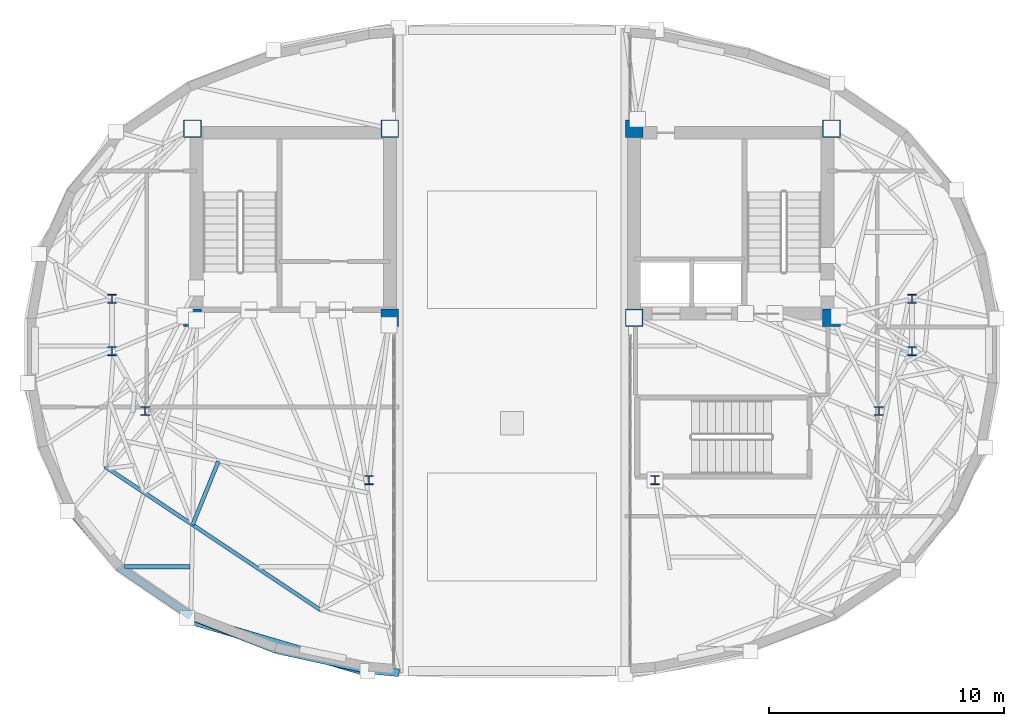
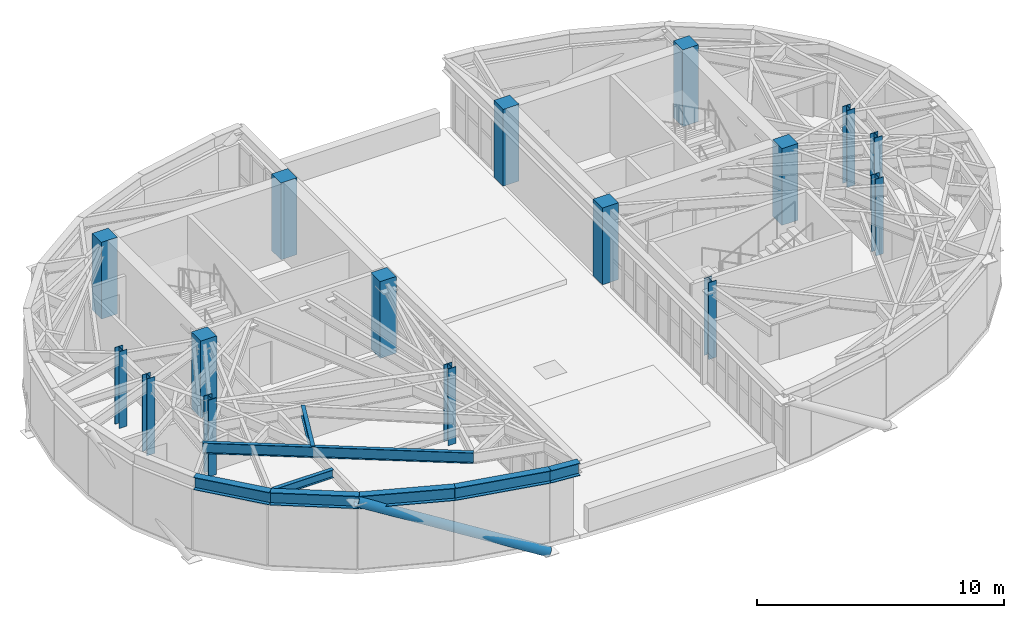
# One storey, part 1 of 13: 16 columns, 8 beams, 1 member.
"""IFC4 building model written with IfcOpenShell, lengths in metres."""

import ifcopenshell
import ifcopenshell.guid

model = None  # the IFC model being written
_history = None  # IfcOwnerHistory: only IFC2X3 demands one
_inside = {}  # id of a spatial element -> (the spatial element, [elements in it])
_under = {}  # id of a project, library or spatial element -> (it, [spatial elements below it])
_declared = {}  # id of a project -> (the project, [libraries it declares])
_typed = {}  # id of a type object -> (the type object, [elements of that type])
_made_of = {}  # id of a material, layer set ... -> (it, [elements and type objects made of it])


def new_model(schema):
    """Start an empty IFC model of exactly this schema.

    Asked for "IFC4X3", IfcOpenShell would pick the latest addendum, in which some entities
    have other attributes; the version numbers below select the first issue.
    IFC2X3 requires an IfcOwnerHistory on every rooted entity: one is made here for all.
    """
    global model, _history
    if schema == "IFC4X3":
        model = ifcopenshell.file(schema_version=(4, 3, 0, 0))
    else:
        model = ifcopenshell.file(schema=schema)
    _inside.clear()
    _under.clear()
    _declared.clear()
    _typed.clear()
    _made_of.clear()
    _history = None
    if model.schema == "IFC2X3":
        org = make("IfcOrganization", Name="unknown")
        user = make(
            "IfcPersonAndOrganization",
            ThePerson=make("IfcPerson", FamilyName="unknown"),
            TheOrganization=org,
        )
        app = make(
            "IfcApplication",
            ApplicationDeveloper=org,
            Version="unknown",
            ApplicationFullName="unknown",
            ApplicationIdentifier="unknown",
        )
        _history = make(
            "IfcOwnerHistory",
            OwningUser=user,
            OwningApplication=app,
            ChangeAction="ADDED",
            CreationDate=0,
        )
    return model


def make(cls, **values):
    """One entity of the class cls with the attributes given. An attribute that is None is left unset."""
    return model.create_entity(
        cls, **{name: value for name, value in values.items() if value is not None}
    )


def rooted(cls, **values):
    """An entity with a GlobalId (a new one), such as an element, a storey or a relation."""
    return make(cls, GlobalId=ifcopenshell.guid.new(), OwnerHistory=_history, **values)


def si_unit(unit_type, name, prefix=None):
    """IfcSIUnit, for example si_unit("LENGTHUNIT", "METRE", prefix="MILLI")."""
    return make("IfcSIUnit", UnitType=unit_type, Prefix=prefix, Name=name)


def assignment(units):
    """IfcUnitAssignment: the units of a project."""
    return None if units is None else make("IfcUnitAssignment", Units=units)


def point(xyz):
    """IfcCartesianPoint."""
    return None if xyz is None else make("IfcCartesianPoint", Coordinates=xyz)


def direction(xyz):
    """IfcDirection."""
    return None if xyz is None else make("IfcDirection", DirectionRatios=xyz)


def frame(location, z_axis=None, x_axis=None):
    """IfcAxis2Placement3D, a coordinate frame: its origin and axes. An axis left out is left unset."""
    return make(
        "IfcAxis2Placement3D",
        Location=point(location),
        Axis=direction(z_axis),
        RefDirection=direction(x_axis),
    )


def frame_2d(location, x_axis=None):
    """IfcAxis2Placement2D, a coordinate frame in the plane: its origin and x axis."""
    return make(
        "IfcAxis2Placement2D", Location=point(location), RefDirection=direction(x_axis)
    )


def origin():
    """The frame at (0, 0, 0) with its axes left unset."""
    return frame((0.0, 0.0, 0.0))


def origin_2d():
    """The frame at (0, 0) in the plane with its x axis left unset."""
    return frame_2d((0.0, 0.0))


def place(relative_to, where):
    """IfcLocalPlacement: puts the frame where relative to a parent placement (None: the world)."""
    return make(
        "IfcLocalPlacement", PlacementRelTo=relative_to, RelativePlacement=where
    )


def context(
    kind, dimensions, precision=None, world=None, true_north=None, identifier=None
):
    """IfcGeometricRepresentationContext, for example the 3D "Model" context."""
    return make(
        "IfcGeometricRepresentationContext",
        ContextIdentifier=identifier,
        ContextType=kind,
        CoordinateSpaceDimension=dimensions,
        Precision=precision,
        WorldCoordinateSystem=world,
        TrueNorth=true_north,
    )


def subcontext(parent, identifier, kind, view, scale=None):
    """IfcGeometricRepresentationSubContext, for example "Body" below "Model"."""
    return make(
        "IfcGeometricRepresentationSubContext",
        ContextIdentifier=identifier,
        ContextType=kind,
        ParentContext=parent,
        TargetScale=scale,
        TargetView=view,
    )


def project(units=None, contexts=None):
    """IfcProject with its units and contexts."""
    return rooted(
        "IfcProject",
        Name="project",
        RepresentationContexts=contexts,
        UnitsInContext=assignment(units),
    )


def spatial(cls, under=None, at=None, **own):
    """A site, building, storey or space (cls), placed at a placement, below another one or the project."""
    s = rooted(cls, ObjectPlacement=at, **own)
    if under is not None:
        _under.setdefault(under.id(), (under, []))[1].append(s)
    return s


def profile(cls, at=None, kind="AREA", **sizes):
    """A parametric profile (cls). Its sizes go by their IFC names, for example OverallWidth=200.0."""
    return make(cls, ProfileType=kind, Position=at, **sizes)


def rectangle(**sizes):
    """IfcRectangleProfileDef."""
    return profile("IfcRectangleProfileDef", **sizes)


def hollow_circle(**sizes):
    """IfcCircleHollowProfileDef."""
    return profile("IfcCircleHollowProfileDef", **sizes)


def i_section(**sizes):
    """IfcIShapeProfileDef."""
    return profile("IfcIShapeProfileDef", **sizes)


def extrude(swept, where, along, depth):
    """IfcExtrudedAreaSolid: the profile swept, set in the frame where, extruded along a direction by depth."""
    return make(
        "IfcExtrudedAreaSolid",
        SweptArea=swept,
        Position=where,
        ExtrudedDirection=direction(along),
        Depth=depth,
    )


def shape(context_of_items, identifier, shape_type, items):
    """IfcShapeRepresentation: the items that make up one representation, for example the "Body"."""
    return make(
        "IfcShapeRepresentation",
        ContextOfItems=context_of_items,
        RepresentationIdentifier=identifier,
        RepresentationType=shape_type,
        Items=items,
    )


def material(Name=None, Category=None):
    """IfcMaterial."""
    return make("IfcMaterial", Name=Name, Category=Category)


def material_profile(
    of_material, cross_section, Name=None, Category=None, Priority=None
):
    """IfcMaterialProfile: a cross section and its material."""
    return make(
        "IfcMaterialProfile",
        Name=Name,
        Material=of_material,
        Profile=cross_section,
        Priority=Priority,
        Category=Category,
    )


def profile_set(profiles, Name=None, composite=None):
    """IfcMaterialProfileSet."""
    return make(
        "IfcMaterialProfileSet",
        Name=Name,
        MaterialProfiles=profiles,
        CompositeProfile=composite,
    )


def made_of(thing, what):
    """Note that an element or type object is made of a material, layer set ...; save() writes the relation."""
    if what is not None:
        _made_of.setdefault(what.id(), (what, []))[1].append(thing)
    return thing


def type_object(cls, material=None, **own):
    """A type object (cls), such as IfcWallType, which elements share."""
    return made_of(rooted(cls, **own), material)


def element(
    cls,
    number,
    at=None,
    inside=None,
    cuts=None,
    type_object=None,
    material=None,
    context=None,
    identifier="Body",
    shape_type=None,
    held_by="IfcProductDefinitionShape",
    body=None,
    shapes=None,
    **own,
):
    """One element of the class cls, such as IfcWall. Its Tag is "e" and its number.

    at: its placement. inside: the storey or other place that contains it. cuts: it is an
    opening in that element (IfcRelVoidsElement). A single representation is given by context,
    identifier, shape_type and body (its items); several are given by shapes. held_by: the class
    of the entity that holds the representations. save() writes the other relations.
    """
    e = rooted(cls, Tag="e%d" % number, ObjectPlacement=at, **own)
    if body is not None:
        shapes = [shape(context, identifier, shape_type, body)]
    if shapes is not None:
        e.Representation = make(held_by, Representations=shapes)
    if inside is not None:
        _inside.setdefault(inside.id(), (inside, []))[1].append(e)
    if cuts is not None:
        rooted(
            "IfcRelVoidsElement", RelatingBuildingElement=cuts, RelatedOpeningElement=e
        )
    if type_object is not None:
        _typed.setdefault(type_object.id(), (type_object, []))[1].append(e)
    return made_of(e, material)


def aggregate(whole, parts):
    """IfcRelAggregates: a whole, such as a stair, and the parts it consists of."""
    return rooted("IfcRelAggregates", RelatingObject=whole, RelatedObjects=parts)


def save(model, path):
    """Write the relations noted so far, then the file.

    IfcRelAggregates (storeys below a building ...), IfcRelContainedInSpatialStructure (elements
    in a storey), IfcRelDefinesByType, IfcRelAssociatesMaterial and IfcRelDeclares: one each for
    every whole, place, type object, material and project.
    """
    for whole, parts in _under.values():
        aggregate(whole, parts)
    for where, things in _inside.values():
        rooted(
            "IfcRelContainedInSpatialStructure",
            RelatedElements=things,
            RelatingStructure=where,
        )
    for kind, things in _typed.values():
        rooted("IfcRelDefinesByType", RelatedObjects=things, RelatingType=kind)
    for what, things in _made_of.values():
        rooted("IfcRelAssociatesMaterial", RelatedObjects=things, RelatingMaterial=what)
    for by, libraries in _declared.values():
        rooted("IfcRelDeclares", RelatingContext=by, RelatedDefinitions=libraries)
    model.write(path)


model = new_model("IFC4")

# Units and contexts
model_context = context("Model", 3, precision=1e-05, world=origin(), true_north=direction((0.0, 1.0)))
body_context = subcontext(model_context, "Body", "Model", "MODEL_VIEW")
ifc_project = project(units=[si_unit("LENGTHUNIT", "METRE"), si_unit("AREAUNIT", "SQUARE_METRE"), si_unit("VOLUMEUNIT", "CUBIC_METRE"), si_unit("PLANEANGLEUNIT", "RADIAN"), si_unit("MASSUNIT", "GRAM", prefix="KILO")], contexts=[model_context])

# Site, building, storey
site_placement = place(None, origin())
site = spatial("IfcSite", under=ifc_project, at=site_placement, CompositionType="ELEMENT")
building_placement = place(site_placement, origin())
building = spatial("IfcBuilding", under=site, at=building_placement, Name="Keldmark Tower", CompositionType="ELEMENT")
storey_placement = place(building_placement, frame((0.0, 0.0, 269.199951171875)))
storey = spatial("IfcBuildingStorey", under=building, at=storey_placement, Name="L76", CompositionType="ELEMENT", Elevation=269.199951171875)

# Columns
ifc_material_1 = material(Name="Concrete C50/60", Category="concrete")
ifc_material_profile_1 = material_profile(ifc_material_1, rectangle(XDim=0.75, YDim=0.75, at=origin_2d()), Name="RC750X750")
ifc_profile_set_1 = profile_set([ifc_material_profile_1], Name="Concrete C50/60")
column_type_1 = type_object("IfcColumnType", Name="Core Boundary Column RC750", PredefinedType="PILASTER", material=ifc_profile_set_1)
for number, where, z_axis, x_axis, name in (
    (1, (-13.60009765625, 1.39990234375, 0.0), (0.0, 0.0, 1.0), (1.0, 0.0, 0.0), "L76 Core Boundary Column CC-W1"),
    (2, (-13.60009765625, 9.449951171875, 0.0), (0.0, 0.0, 1.0), (1.0, 0.0, 0.0), "L76 Core Boundary Column CC-W2"),
    (3, (-5.199951171875, 1.39990234375, 0.0), (0.0, 0.0, 1.0), (1.0, 0.0, 0.0), "L76 Core Boundary Column CC-W3"),
    (4, (-5.199951171875, 9.449951171875, 0.0), (0.0, 0.0, 1.0), (1.0, 0.0, 0.0), "L76 Core Boundary Column CC-W4"),
    (5, (5.199951171875, 1.39990234375, 0.0), (0.0, 0.0, 1.0), (1.0, 0.0, 0.0), "L76 Core Boundary Column CC-E1"),
    (6, (5.199951171875, 9.449951171875, 0.0), (0.0, 0.0, 1.0), (1.0, 0.0, 0.0), "L76 Core Boundary Column CC-E2"),
    (7, (13.60009765625, 1.39990234375, 0.0), (0.0, 0.0, 1.0), (1.0, 0.0, 0.0), "L76 Core Boundary Column CC-E3"),
    (8, (13.60009765625, 9.449951171875, 0.0), (0.0, 0.0, 1.0), (1.0, 0.0, 0.0), "L76 Core Boundary Column CC-E4"),
):
    element("IfcColumn", number, at=place(storey_placement, frame(where, z_axis=z_axis, x_axis=x_axis)), inside=storey, type_object=column_type_1, Name=name, PredefinedType="PILASTER", context=body_context, shape_type="SweptSolid", body=[
        extrude(rectangle(XDim=0.75, YDim=0.75, at=origin_2d()), origin(), (0.0, 0.0, 1.0), 3.800048828125),
    ])
ifc_material_2 = material(Name="Steel ASTM A992 Grade 50", Category="steel")
ifc_material_profile_2 = material_profile(ifc_material_2, i_section(OverallWidth=0.3740234375, OverallDepth=0.3720703125, WebThickness=0.016357421875, FlangeThickness=0.026123046875, at=origin_2d()), Name="W14X132")
ifc_profile_set_2 = profile_set([ifc_material_profile_2], Name="Steel ASTM A992 Grade 50")
column_type_2 = type_object("IfcColumnType", Name="Tower Gravity Column W14X132", PredefinedType="COLUMN", material=ifc_profile_set_2)
for number, where, z_axis, x_axis, name in (
    (9, (17.025634765625, 2.2080078125, 0.0), (0.0, 0.0, 1.0), (1.0, 0.0, 0.0), "L76 Tower Gravity Column TC-E1"),
    (10, (-17.025634765625, 2.2080078125, 0.0), (0.0, 0.0, 1.0), (1.0, 0.0, 0.0), "L76 Tower Gravity Column TC-W1"),
    (11, (-17.025634765625, -0.02392578125, 0.0), (0.0, 0.0, 1.0), (1.0, 0.0, 0.0), "L76 Tower Gravity Column TC-W5"),
    (12, (-15.6162109375, -2.5673828125, 0.0), (0.0, 0.0, 1.0), (1.0, 0.0, 0.0), "L76 Tower Gravity Column TC-W2"),
    (13, (-6.089599609375, -5.512939453125, 0.0), (0.0, 0.0, 1.0), (1.0, 0.0, 0.0), "L76 Tower Gravity Column TC-W3"),
    (14, (6.089599609375, -5.512939453125, 0.0), (0.0, 0.0, 1.0), (1.0, 0.0, 0.0), "L76 Tower Gravity Column TC-E3"),
    (15, (15.6162109375, -2.5673828125, 0.0), (0.0, 0.0, 1.0), (1.0, 0.0, 0.0), "L76 Tower Gravity Column TC-E2"),
    (16, (17.025634765625, -0.02392578125, 0.0), (0.0, 0.0, 1.0), (1.0, 0.0, 0.0), "L76 Tower Gravity Column TC-E5"),
):
    element("IfcColumn", number, at=place(storey_placement, frame(where, z_axis=z_axis, x_axis=x_axis)), inside=storey, type_object=column_type_2, Name=name, PredefinedType="COLUMN", context=body_context, shape_type="SweptSolid", body=[
        extrude(i_section(OverallWidth=0.3740234375, OverallDepth=0.3720703125, WebThickness=0.016357421875, FlangeThickness=0.026123046875, at=origin_2d()), origin(), (0.0, 0.0, 1.0), 3.800048828125),
    ])

# Beam
ifc_material_3 = material(Name="Steel ASTM A992 Grade 50", Category="steel")
ifc_material_profile_3 = material_profile(ifc_material_3, i_section(OverallWidth=0.177978515625, OverallDepth=0.403076171875, WebThickness=0.007568359375, FlangeThickness=0.010986328125, at=origin_2d()), Name="W16X36")
ifc_profile_set_3 = profile_set([ifc_material_profile_3], Name="Steel ASTM A992 Grade 50")
beam_type_1 = type_object("IfcBeamType", Name="Composite Floor Joist W16X36", PredefinedType="JOIST", material=ifc_profile_set_3)
beam_1_placement = place(storey_placement, frame((-16.486083984375, -9.199951171875, 3.3984375), z_axis=(1.0, 0.0, 0.0), x_axis=(0.0, 1.0, 0.0)))
element("IfcBeam", 17, at=beam_1_placement, inside=storey, type_object=beam_type_1, Name="L76 Composite Floor Joist J04", PredefinedType="JOIST", context=body_context, shape_type="SweptSolid", body=[
    extrude(i_section(OverallWidth=0.177978515625, OverallDepth=0.403076171875, WebThickness=0.007568359375, FlangeThickness=0.010986328125, at=origin_2d()), origin(), (0.0, 0.0, 1.0), 2.781982421875),
])

# Member
ifc_material_4 = material(Name="Steel ASTM A572 Grade 50", Category="steel")
ifc_material_profile_4 = material_profile(ifc_material_4, hollow_circle(Radius=0.22509765625, WallThickness=0.02197265625, at=origin_2d()), Name="CHS450X22")
ifc_profile_set_4 = profile_set([ifc_material_profile_4], Name="Steel ASTM A572 Grade 50")
member_type = type_object("IfcMemberType", Name="Crown Frame Brace CHS450X22", PredefinedType="USERDEFINED", material=ifc_profile_set_4)
member_placement = place(storey_placement, frame((-6.154296875, -13.644775390625, -0.449951171875), z_axis=(-0.866778404172, 0.255177712356, 0.428461822311), x_axis=(-0.282413724237, -0.959292702132, 0.0)))
element("IfcMember", 18, at=member_placement, inside=storey, type_object=member_type, Name="L76 Crown Frame Diagonal W00", ObjectType="CROWN FRAME", PredefinedType="USERDEFINED", context=body_context, shape_type="SweptSolid", body=[
    extrude(hollow_circle(Radius=0.22509765625, WallThickness=0.02197265625, at=origin_2d()), origin(), (0.0, 0.0, 1.0), 8.869140625),
])

# Beams
ifc_material_5 = material(Name="Steel ASTM A992 Grade 50", Category="steel")
ifc_material_profile_5 = material_profile(ifc_material_5, i_section(OverallWidth=0.166015625, OverallDepth=0.529052734375, WebThickness=0.009765625, FlangeThickness=0.013671875, at=origin_2d()), Name="W21X50")
ifc_profile_set_5 = profile_set([ifc_material_profile_5], Name="Steel ASTM A992 Grade 50")
beam_type_2 = type_object("IfcBeamType", Name="Radial Tie Girder W21X50", PredefinedType="BEAM", material=ifc_profile_set_5)
beam_2_placement = place(storey_placement, frame((-17.331298828125, -4.925048828125, 3.33544921875), z_axis=(0.832244580622, -0.55440865616, 0.0), x_axis=(0.55440865616, 0.832244580622, 0.0)))
element("IfcBeam", 19, at=beam_2_placement, inside=storey, type_object=beam_type_2, Name="L76 Straddling Support Chord CRT-W03RB", PredefinedType="BEAM", context=body_context, shape_type="SweptSolid", body=[
    extrude(i_section(OverallWidth=0.166015625, OverallDepth=0.529052734375, WebThickness=0.009765625, FlangeThickness=0.013671875, at=origin_2d()), origin(), (0.0, 0.0, 1.0), 11.0166015625),
])
beam_3_placement = place(storey_placement, frame((-12.498291015625, -4.7099609375, 3.33544921875), z_axis=(-0.375656557238, -0.926758949784, 0.0), x_axis=(0.926758949784, -0.375656557238, 0.0)))
element("IfcBeam", 20, at=beam_3_placement, inside=storey, type_object=beam_type_2, Name="L76 Framing Pin Header PH-020", PredefinedType="BEAM", context=body_context, shape_type="SweptSolid", body=[
    extrude(i_section(OverallWidth=0.166015625, OverallDepth=0.529052734375, WebThickness=0.009765625, FlangeThickness=0.013671875, at=origin_2d()), origin(), (0.0, 0.0, 1.0), 2.91796875),
])
ifc_material_6 = material(Name="Steel ASTM A992 Grade 50", Category="steel")
ifc_material_profile_6 = material_profile(ifc_material_6, i_section(OverallWidth=0.326904296875, OverallDepth=0.6220703125, WebThickness=0.015380859375, FlangeThickness=0.0244140625, at=origin_2d()), Name="W24X131")
ifc_profile_set_6 = profile_set([ifc_material_profile_6], Name="Steel ASTM A992 Grade 50")
beam_type_3 = type_object("IfcBeamType", Name="Spandrel Ring Beam W24X131", PredefinedType="SPANDREL", material=ifc_profile_set_6)
beam_4_placement = place(storey_placement, frame((-6.0810546875, -13.59912109375, 3.2890625), z_axis=(-0.976881906686, 0.213779653823, 0.0), x_axis=(-0.213779653823, -0.976881906686, 0.0)))
element("IfcBeam", 21, at=beam_4_placement, inside=storey, type_object=beam_type_3, Name="L76 Crown Spandrel Ring Beam CRB-W01", PredefinedType="SPANDREL", context=body_context, shape_type="SweptSolid", body=[
    extrude(i_section(OverallWidth=0.326904296875, OverallDepth=0.6220703125, WebThickness=0.015380859375, FlangeThickness=0.0244140625, at=origin_2d()), origin(), (0.0, 0.0, 1.0), 4.046142578125),
])
beam_5_placement = place(storey_placement, frame((-10.03369140625, -12.734130859375, 3.2890625), z_axis=(-0.930245006855, 0.366938996594, 0.0), x_axis=(-0.366938996594, -0.930245006855, 0.0)))
element("IfcBeam", 22, at=beam_5_placement, inside=storey, type_object=beam_type_3, Name="L76 Crown Spandrel Ring Beam CRB-W02", PredefinedType="SPANDREL", context=body_context, shape_type="SweptSolid", body=[
    extrude(i_section(OverallWidth=0.326904296875, OverallDepth=0.6220703125, WebThickness=0.015380859375, FlangeThickness=0.0244140625, at=origin_2d()), origin(), (0.0, 0.0, 1.0), 3.908935546875),
])
beam_6_placement = place(storey_placement, frame((-13.669921875, -11.2998046875, 3.2890625), z_axis=(-0.827548721737, 0.561393901955, 0.0), x_axis=(-0.561393901955, -0.827548721737, 0.0)))
element("IfcBeam", 23, at=beam_6_placement, inside=storey, type_object=beam_type_3, Name="L76 Crown Spandrel Ring Beam CRB-W03", PredefinedType="SPANDREL", context=body_context, shape_type="SweptSolid", body=[
    extrude(i_section(OverallWidth=0.326904296875, OverallDepth=0.6220703125, WebThickness=0.015380859375, FlangeThickness=0.0244140625, at=origin_2d()), origin(), (0.0, 0.0, 1.0), 3.609619140625),
])
beam_7_placement = place(storey_placement, frame((-16.656982421875, -9.2734375, 3.2890625), z_axis=(-0.650772809682, 0.759272513778, 0.0), x_axis=(-0.759272513778, -0.650772809682, 0.0)))
element("IfcBeam", 24, at=beam_7_placement, inside=storey, type_object=beam_type_3, Name="L76 Crown Spandrel Ring Beam CRB-W04", PredefinedType="SPANDREL", context=body_context, shape_type="SweptSolid", body=[
    extrude(i_section(OverallWidth=0.326904296875, OverallDepth=0.6220703125, WebThickness=0.015380859375, FlangeThickness=0.0244140625, at=origin_2d()), origin(), (0.0, 0.0, 1.0), 3.249267578125),
])
beam_8_placement = place(storey_placement, frame((-4.800048828125, -13.714599609375, 3.2890625), z_axis=(-0.995961379777, 0.089782682034, 0.0), x_axis=(-0.089782682034, -0.995961379777, 0.0)))
element("IfcBeam", 25, at=beam_8_placement, inside=storey, type_object=beam_type_3, Name="L76 Crown Spandrel Ring Beam CRB-W16", PredefinedType="SPANDREL", context=body_context, shape_type="SweptSolid", body=[
    extrude(i_section(OverallWidth=0.326904296875, OverallDepth=0.6220703125, WebThickness=0.015380859375, FlangeThickness=0.0244140625, at=origin_2d()), origin(), (0.0, 0.0, 1.0), 1.2861328125),
])

save(model, "model.ifc")
